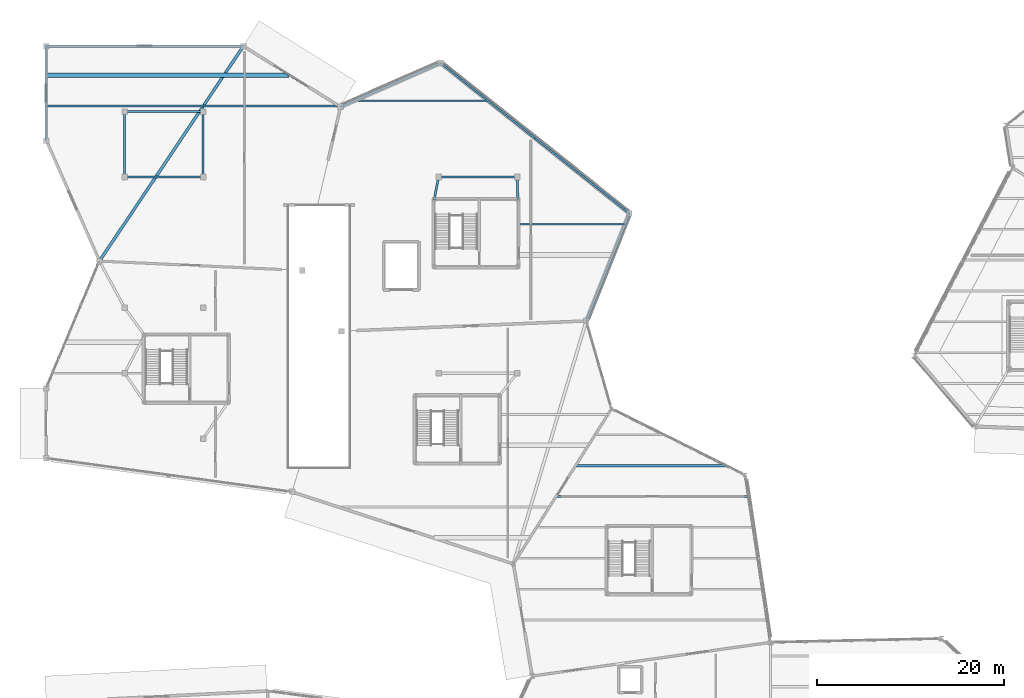
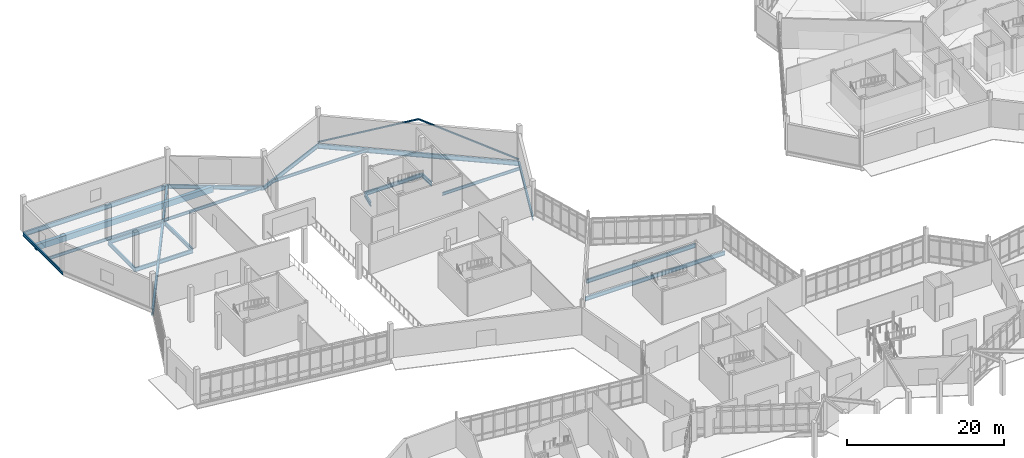
# One storey, part 47 of 113: 20 beams, 2 members.
"""IFC4 building model written with IfcOpenShell, lengths in metres."""

from ifc_helpers import new_model, si_unit, direction, frame, origin, origin_2d, place, context, subcontext, project, spatial, rectangle, hollow_rectangle, i_section, extrude, material, material_profile, profile_set, type_object, element, save


model = new_model("IFC4")

# Units and contexts
model_context = context("Model", 3, precision=1e-05, world=origin(), true_north=direction((0.0, 1.0)))
body_context = subcontext(model_context, "Body", "Model", "MODEL_VIEW")
ifc_project = project(units=[si_unit("LENGTHUNIT", "METRE"), si_unit("AREAUNIT", "SQUARE_METRE"), si_unit("VOLUMEUNIT", "CUBIC_METRE"), si_unit("PLANEANGLEUNIT", "RADIAN"), si_unit("MASSUNIT", "GRAM", prefix="KILO")], contexts=[model_context])

# Site, building, storey
site_placement = place(None, origin())
site = spatial("IfcSite", under=ifc_project, at=site_placement, CompositionType="ELEMENT")
building_placement = place(site_placement, origin())
building = spatial("IfcBuilding", under=site, at=building_placement, Name="Tameran Prism Museum", CompositionType="ELEMENT")
storey_placement = place(building_placement, origin())
storey = spatial("IfcBuildingStorey", under=building, at=storey_placement, Name="L00", CompositionType="ELEMENT", Elevation=0.0)

# Beams
ifc_material_1 = material(Name="Steel Grade 300PLUS (300 MPa)", Category="steel")
ifc_material_profile_1 = material_profile(ifc_material_1, i_section(OverallWidth=0.19091796875, OverallDepth=0.4599609375, WebThickness=0.010009765625, FlangeThickness=0.01611328125, FilletRadius=0.011474609375, at=origin_2d()))
ifc_profile_set_1 = profile_set([ifc_material_profile_1])
beam_type_1 = type_object("IfcBeamType", Name="BM-J460A", PredefinedType="JOIST", material=ifc_profile_set_1)
beam_1_placement = place(storey_placement, frame((50.47998046875, 92.949951171875, -0.489990234375), z_axis=(1.0, 0.0, 0.0), x_axis=(0.0, 1.0, 0.0)))
element("IfcBeam", 1, at=beam_1_placement, inside=storey, type_object=beam_type_1, Name="Floor Beam BM-0298", PredefinedType="JOIST", context=body_context, shape_type="SweptSolid", body=[
    extrude(i_section(OverallWidth=0.19091796875, OverallDepth=0.4599609375, WebThickness=0.010009765625, FlangeThickness=0.01611328125, FilletRadius=0.011474609375, at=origin_2d()), origin(), (0.0, 0.0, 1.0), 11.4169921875),
])
beam_2_placement = place(storey_placement, frame((33.0791015625, 106.14990234375, -0.489990234375), z_axis=(1.0, 0.0, 0.0), x_axis=(0.0, 1.0, 0.0)))
element("IfcBeam", 2, at=beam_2_placement, inside=storey, type_object=beam_type_1, Name="Floor Beam BM-0302", PredefinedType="JOIST", context=body_context, shape_type="SweptSolid", body=[
    extrude(i_section(OverallWidth=0.19091796875, OverallDepth=0.4599609375, WebThickness=0.010009765625, FlangeThickness=0.01611328125, FilletRadius=0.011474609375, at=origin_2d()), origin(), (0.0, 0.0, 1.0), 14.137939453125),
])
beam_3_placement = place(storey_placement, frame((0.0400390625, 105.60009765625, -0.489990234375), z_axis=(1.0, 0.0, 0.0), x_axis=(0.0, 1.0, 0.0)))
element("IfcBeam", 3, at=beam_3_placement, inside=storey, type_object=beam_type_1, Name="Floor Beam BM-0315", PredefinedType="JOIST", context=body_context, shape_type="SweptSolid", body=[
    extrude(i_section(OverallWidth=0.19091796875, OverallDepth=0.4599609375, WebThickness=0.010009765625, FlangeThickness=0.01611328125, FilletRadius=0.011474609375, at=origin_2d()), origin(), (0.0, 0.0, 1.0), 31.224853515625),
])
ifc_material_2 = material(Name="Concrete N40 (40 MPa)", Category="concrete")
ifc_material_profile_2 = material_profile(ifc_material_2, rectangle(XDim=0.5, YDim=0.89990234375, at=origin_2d()))
ifc_profile_set_2 = profile_set([ifc_material_profile_2])
beam_type_2 = type_object("IfcBeamType", Name="BM-RC900", PredefinedType="BEAM", material=ifc_profile_set_2)
beam_4_placement = place(storey_placement, frame((0.0400390625, 108.89990234375, -0.7099609375), z_axis=(1.0, 0.0, 0.0), x_axis=(0.0, 1.0, 0.0)))
element("IfcBeam", 4, at=beam_4_placement, inside=storey, type_object=beam_type_2, Name="Floor Beam BM-0316", PredefinedType="BEAM", context=body_context, shape_type="SweptSolid", body=[
    extrude(rectangle(XDim=0.5, YDim=0.89990234375, at=origin_2d()), origin(), (0.0, 0.0, 1.0), 25.945068359375),
])
ifc_material_3 = material(Name="Steel Grade 300PLUS (300 MPa)", Category="steel")
ifc_material_profile_3 = material_profile(ifc_material_3, i_section(OverallWidth=0.208984375, OverallDepth=0.532958984375, WebThickness=0.01025390625, FlangeThickness=0.015625, FilletRadius=0.013916015625, at=origin_2d()))
ifc_profile_set_3 = profile_set([ifc_material_profile_3])
beam_type_3 = type_object("IfcBeamType", Name="BM-SP530A", PredefinedType="SPANDREL", material=ifc_profile_set_3)
beam_5_placement = place(storey_placement, frame((0.0, 112.0, -0.526611328125), z_axis=(0.0, -1.0, 0.0), x_axis=(1.0, 0.0, 0.0)))
element("IfcBeam", 5, at=beam_5_placement, inside=storey, type_object=beam_type_3, Name="Perimeter Spandrel SP-0092", PredefinedType="SPANDREL", context=body_context, shape_type="SweptSolid", body=[
    extrude(i_section(OverallWidth=0.208984375, OverallDepth=0.532958984375, WebThickness=0.01025390625, FlangeThickness=0.015625, FilletRadius=0.013916015625, at=origin_2d()), origin(), (0.0, 0.0, 1.0), 10.10009765625),
])
ifc_material_4 = material(Name="Steel Grade 300PLUS (300 MPa)", Category="steel")
ifc_material_profile_4 = material_profile(ifc_material_4, i_section(OverallWidth=0.22802734375, OverallDepth=0.60205078125, WebThickness=0.010498046875, FlangeThickness=0.014892578125, FilletRadius=0.013916015625, at=origin_2d()))
ifc_profile_set_4 = profile_set([ifc_material_profile_4])
beam_type_4 = type_object("IfcBeamType", Name="BM-SP610", PredefinedType="SPANDREL", material=ifc_profile_set_4)
beam_6_placement = place(storey_placement, frame((57.800048828125, 82.60009765625, -0.56103515625), z_axis=(0.371380480835, 0.928480769028, 0.0), x_axis=(-0.928480769028, 0.371380480835, 0.0)))
element("IfcBeam", 6, at=beam_6_placement, inside=storey, type_object=beam_type_4, Name="Perimeter Spandrel SP-0080", PredefinedType="SPANDREL", context=body_context, shape_type="SweptSolid", body=[
    extrude(i_section(OverallWidth=0.22802734375, OverallDepth=0.60205078125, WebThickness=0.010498046875, FlangeThickness=0.014892578125, FilletRadius=0.013916015625, at=origin_2d()), origin(), (0.0, 0.0, 1.0), 12.3857421875),
])
beam_7_placement = place(storey_placement, frame((42.199951171875, 110.199951171875, -0.56103515625), z_axis=(-0.915568057854, -0.40216306573, 0.0), x_axis=(0.40216306573, -0.915568057854, 0.0)))
element("IfcBeam", 7, at=beam_7_placement, inside=storey, type_object=beam_type_4, Name="Perimeter Spandrel SP-0082", PredefinedType="SPANDREL", context=body_context, shape_type="SweptSolid", body=[
    extrude(i_section(OverallWidth=0.22802734375, OverallDepth=0.60205078125, WebThickness=0.010498046875, FlangeThickness=0.014892578125, FilletRadius=0.013916015625, at=origin_2d()), origin(), (0.0, 0.0, 1.0), 11.686767578125),
])
beam_8_placement = place(storey_placement, frame((31.5, 105.5, -0.56103515625), z_axis=(-0.847996067262, 0.530002518775, 0.0), x_axis=(-0.530002518775, -0.847996067262, 0.0)))
element("IfcBeam", 8, at=beam_8_placement, inside=storey, type_object=beam_type_4, Name="Perimeter Spandrel SP-0090", PredefinedType="SPANDREL", context=body_context, shape_type="SweptSolid", body=[
    extrude(i_section(OverallWidth=0.22802734375, OverallDepth=0.60205078125, WebThickness=0.010498046875, FlangeThickness=0.014892578125, FilletRadius=0.013916015625, at=origin_2d()), origin(), (0.0, 0.0, 1.0), 12.26416015625),
])
ifc_material_5 = material(Name="Steel Grade 350 (350 MPa)", Category="steel")
ifc_material_profile_5 = material_profile(ifc_material_5, i_section(OverallWidth=0.25, OverallDepth=0.699951171875, WebThickness=0.010009765625, FlangeThickness=0.02001953125, at=origin_2d()))
ifc_profile_set_5 = profile_set([ifc_material_profile_5])
beam_type_5 = type_object("IfcBeamType", Name="BM-SP700", PredefinedType="SPANDREL", material=ifc_profile_set_5)
beam_9_placement = place(storey_placement, frame((62.39990234375, 94.10009765625, -0.610107421875), z_axis=(-0.78200261515, 0.623275147827, 0.0), x_axis=(-0.623275147827, -0.78200261515, 0.0)))
element("IfcBeam", 9, at=beam_9_placement, inside=storey, type_object=beam_type_5, Name="Perimeter Spandrel SP-0081", PredefinedType="SPANDREL", context=body_context, shape_type="SweptSolid", body=[
    extrude(i_section(OverallWidth=0.25, OverallDepth=0.699951171875, WebThickness=0.010009765625, FlangeThickness=0.02001953125, at=origin_2d()), origin(), (0.0, 0.0, 1.0), 25.8310546875),
])
beam_10_placement = place(storey_placement, frame((21.10009765625, 112.0, -0.610107421875), z_axis=(-1.0, 0.0, 0.0), x_axis=(0.0, -1.0, 0.0)))
element("IfcBeam", 10, at=beam_10_placement, inside=storey, type_object=beam_type_5, Name="Perimeter Spandrel SP-0091", PredefinedType="SPANDREL", context=body_context, shape_type="SweptSolid", body=[
    extrude(i_section(OverallWidth=0.25, OverallDepth=0.699951171875, WebThickness=0.010009765625, FlangeThickness=0.02001953125, at=origin_2d()), origin(), (0.0, 0.0, 1.0), 21.10009765625),
])
ifc_material_6 = material(Name="Steel Grade 300PLUS (300 MPa)", Category="steel")
ifc_material_profile_6 = material_profile(ifc_material_6, i_section(OverallWidth=0.22900390625, OverallDepth=0.612060546875, WebThickness=0.011962890625, FlangeThickness=0.01953125, FilletRadius=0.013916015625, at=origin_2d()))
ifc_profile_set_6 = profile_set([ifc_material_profile_6])
beam_type_6 = type_object("IfcBeamType", Name="BM-UB610A", PredefinedType="BEAM", material=ifc_profile_set_6)
beam_11_placement = place(storey_placement, frame((42.0, 98.0, -0.56591796875), z_axis=(-0.194555363686, -0.980891538582, 0.0), x_axis=(0.980891538582, -0.194555363686, 0.0)))
element("IfcBeam", 11, at=beam_11_placement, inside=storey, type_object=beam_type_6, Name="Frame Tie Girder FG-1331", PredefinedType="BEAM", context=body_context, shape_type="SweptSolid", body=[
    extrude(i_section(OverallWidth=0.22900390625, OverallDepth=0.612060546875, WebThickness=0.011962890625, FlangeThickness=0.01953125, FilletRadius=0.013916015625, at=origin_2d()), origin(), (0.0, 0.0, 1.0), 2.467041015625),
])
beam_12_placement = place(storey_placement, frame((42.0, 98.0, -0.56591796875), z_axis=(1.0, 0.0, 0.0), x_axis=(0.0, 1.0, 0.0)))
element("IfcBeam", 12, at=beam_12_placement, inside=storey, type_object=beam_type_6, Name="Frame Tie Girder FG-1332", PredefinedType="BEAM", context=body_context, shape_type="SweptSolid", body=[
    extrude(i_section(OverallWidth=0.22900390625, OverallDepth=0.612060546875, WebThickness=0.011962890625, FlangeThickness=0.01953125, FilletRadius=0.013916015625, at=origin_2d()), origin(), (0.0, 0.0, 1.0), 8.39990234375),
])
beam_13_placement = place(storey_placement, frame((50.39990234375, 98.0, -0.56591796875), z_axis=(0.033073099557, -0.999452935403, 0.0), x_axis=(0.999452935403, 0.033073099557, 0.0)))
element("IfcBeam", 13, at=beam_13_placement, inside=storey, type_object=beam_type_6, Name="Frame Tie Girder FG-1339", PredefinedType="BEAM", context=body_context, shape_type="SweptSolid", body=[
    extrude(i_section(OverallWidth=0.22900390625, OverallDepth=0.612060546875, WebThickness=0.011962890625, FlangeThickness=0.01953125, FilletRadius=0.013916015625, at=origin_2d()), origin(), (0.0, 0.0, 1.0), 2.421142578125),
])
beam_14_placement = place(storey_placement, frame((8.39990234375, 98.0, -0.56591796875), z_axis=(0.0, 1.0, 0.0), x_axis=(-1.0, 0.0, 0.0)))
element("IfcBeam", 14, at=beam_14_placement, inside=storey, type_object=beam_type_6, Name="Frame Tie Girder FG-1358", PredefinedType="BEAM", context=body_context, shape_type="SweptSolid", body=[
    extrude(i_section(OverallWidth=0.22900390625, OverallDepth=0.612060546875, WebThickness=0.011962890625, FlangeThickness=0.01953125, FilletRadius=0.013916015625, at=origin_2d()), origin(), (0.0, 0.0, 1.0), 7.0),
])
for number, where, z_axis, x_axis, name in (
    (15, (8.39990234375, 98.0, -0.56591796875), (1.0, 0.0, 0.0), (0.0, 1.0, 0.0), "Frame Tie Girder FG-1359"),
    (16, (8.39990234375, 105.0, -0.56591796875), (1.0, 0.0, 0.0), (0.0, 1.0, 0.0), "Frame Tie Girder FG-1362"),
):
    element("IfcBeam", number, at=place(storey_placement, frame(where, z_axis=z_axis, x_axis=x_axis)), inside=storey, type_object=beam_type_6, Name=name, PredefinedType="BEAM", context=body_context, shape_type="SweptSolid", body=[
        extrude(i_section(OverallWidth=0.22900390625, OverallDepth=0.612060546875, WebThickness=0.011962890625, FlangeThickness=0.01953125, FilletRadius=0.013916015625, at=origin_2d()), origin(), (0.0, 0.0, 1.0), 8.400146484375),
    ])
beam_15_placement = place(storey_placement, frame((16.800048828125, 98.0, -0.56591796875), z_axis=(0.0, 1.0, 0.0), x_axis=(-1.0, 0.0, 0.0)))
element("IfcBeam", 17, at=beam_15_placement, inside=storey, type_object=beam_type_6, Name="Frame Tie Girder FG-1364", PredefinedType="BEAM", context=body_context, shape_type="SweptSolid", body=[
    extrude(i_section(OverallWidth=0.22900390625, OverallDepth=0.612060546875, WebThickness=0.011962890625, FlangeThickness=0.01953125, FilletRadius=0.013916015625, at=origin_2d()), origin(), (0.0, 0.0, 1.0), 7.0),
])
ifc_material_7 = material(Name="Steel Grade 300PLUS (300 MPa)", Category="steel")
ifc_material_profile_7 = material_profile(ifc_material_7, i_section(OverallWidth=0.22802734375, OverallDepth=0.60693359375, WebThickness=0.01123046875, FlangeThickness=0.017333984375, FilletRadius=0.013916015625, at=origin_2d()))
ifc_profile_set_7 = profile_set([ifc_material_profile_7])
beam_type_7 = type_object("IfcBeamType", Name="BM-UB610B", PredefinedType="BEAM", material=ifc_profile_set_7)
beam_16_placement = place(storey_placement, frame((54.60205078125, 63.800048828125, -0.54345703125), z_axis=(1.0, 0.0, 0.0), x_axis=(0.0, 1.0, 0.0)))
element("IfcBeam", 18, at=beam_16_placement, inside=storey, type_object=beam_type_7, Name="Floor Beam BM-0225", PredefinedType="BEAM", context=body_context, shape_type="SweptSolid", body=[
    extrude(i_section(OverallWidth=0.22802734375, OverallDepth=0.60693359375, WebThickness=0.01123046875, FlangeThickness=0.017333984375, FilletRadius=0.013916015625, at=origin_2d()), origin(), (0.0, 0.0, 1.0), 20.50390625),
])
beam_17_placement = place(storey_placement, frame((56.68896484375, 67.10009765625, -0.54345703125), z_axis=(1.0, 0.0, 0.0), x_axis=(0.0, 1.0, 0.0)))
element("IfcBeam", 19, at=beam_17_placement, inside=storey, type_object=beam_type_7, Name="Floor Beam BM-0226", PredefinedType="BEAM", context=body_context, shape_type="SweptSolid", body=[
    extrude(i_section(OverallWidth=0.22802734375, OverallDepth=0.60693359375, WebThickness=0.01123046875, FlangeThickness=0.017333984375, FilletRadius=0.013916015625, at=origin_2d()), origin(), (0.0, 0.0, 1.0), 16.007080078125),
])
ifc_material_8 = material(Name="Steel Grade 350 (350 MPa)", Category="steel")
ifc_material_profile_8 = material_profile(ifc_material_8, i_section(OverallWidth=0.300048828125, OverallDepth=1.0, WebThickness=0.01611328125, FlangeThickness=0.031982421875, at=origin_2d()))
ifc_profile_set_8 = profile_set([ifc_material_profile_8])
beam_type_8 = type_object("IfcBeamType", Name="BM-WB1000", PredefinedType="BEAM", material=ifc_profile_set_8)
beam_18_placement = place(storey_placement, frame((5.699951171875, 89.0, -0.760009765625), z_axis=(0.556370168466, 0.830934555571, 0.0), x_axis=(-0.830934555571, 0.556370168466, 0.0)))
element("IfcBeam", 20, at=beam_18_placement, inside=storey, type_object=beam_type_8, Name="Primary Vertex Girder PG-0094", PredefinedType="BEAM", context=body_context, shape_type="SweptSolid", body=[
    extrude(i_section(OverallWidth=0.300048828125, OverallDepth=1.0, WebThickness=0.01611328125, FlangeThickness=0.031982421875, at=origin_2d()), origin(), (0.0, 0.0, 1.0), 27.6796875),
])

# Members
ifc_material_9 = material(Name="Steel Grade C350L0 (350 MPa)", Category="steel")
ifc_material_profile_9 = material_profile(ifc_material_9, hollow_rectangle(XDim=0.199951171875, YDim=0.199951171875, WallThickness=0.009033203125, InnerFilletRadius=0.013427734375, OuterFilletRadius=0.0224609375, at=origin_2d()))
ifc_profile_set_9 = profile_set([ifc_material_profile_9])
member_type = type_object("IfcMemberType", Name="MM-BR-SHS200", PredefinedType="BRACE", material=ifc_profile_set_9)
member_1_placement = place(storey_placement, frame((62.39990234375, 94.10009765625, 0.0), z_axis=(-0.731153088698, 0.582745041953, 0.354715910226), x_axis=(-0.623273974648, -0.782003550201, 0.0)))
element("IfcMember", 21, at=member_1_placement, inside=storey, type_object=member_type, Name="Lateral Chevron Brace CBF-005", PredefinedType="BRACE", context=body_context, shape_type="SweptSolid", body=[
    extrude(hollow_rectangle(XDim=0.199951171875, YDim=0.199951171875, WallThickness=0.009033203125, InnerFilletRadius=0.013427734375, OuterFilletRadius=0.0224609375, at=origin_2d()), origin(), (0.0, 0.0, 1.0), 13.8134765625),
])
member_2_placement = place(storey_placement, frame((42.199951171875, 110.199951171875, 0.0), z_axis=(0.731153783931, -0.582749183407, 0.354707673278), x_axis=(0.623276320973, 0.782001680122, 0.0)))
element("IfcMember", 22, at=member_2_placement, inside=storey, type_object=member_type, Name="Lateral Chevron Brace CBF-006", PredefinedType="BRACE", context=body_context, shape_type="SweptSolid", body=[
    extrude(hollow_rectangle(XDim=0.199951171875, YDim=0.199951171875, WallThickness=0.009033203125, InnerFilletRadius=0.013427734375, OuterFilletRadius=0.0224609375, at=origin_2d()), origin(), (0.0, 0.0, 1.0), 13.81396484375),
])

save(model, "model.ifc")
